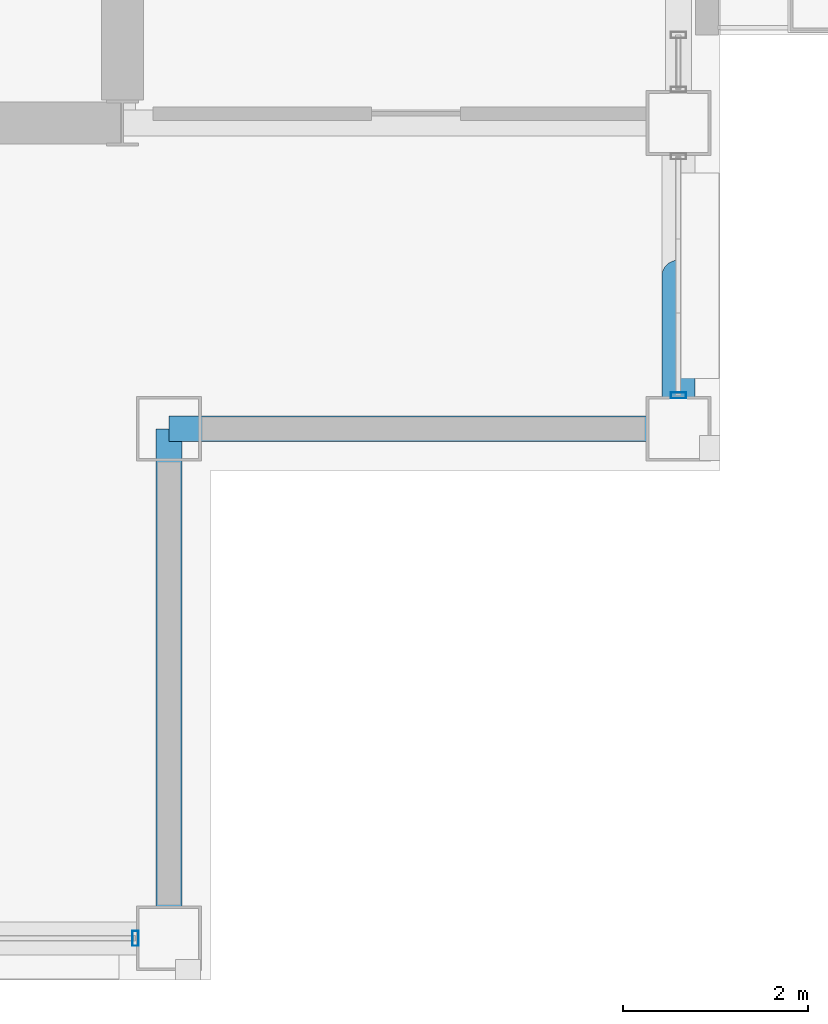
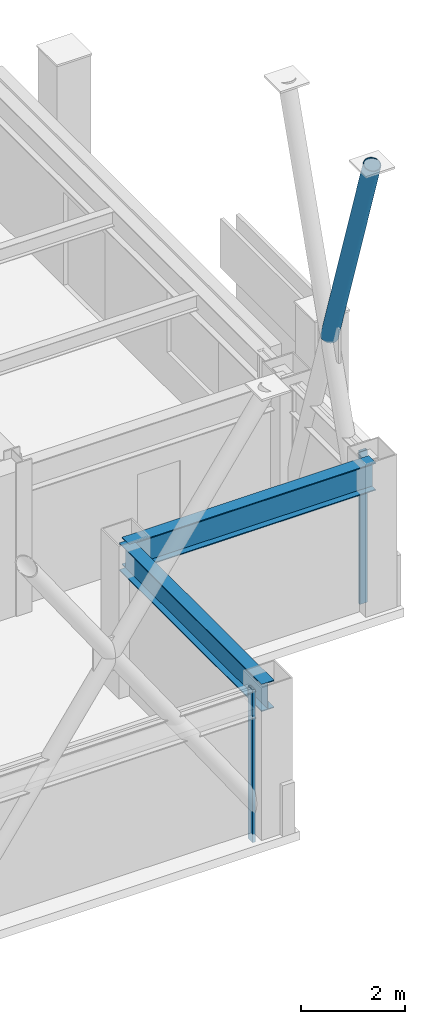
# One storey, part 14 of 33: 3 members, 2 beams, 2 elements without a shape of their own.
"""IFC4 building model written with IfcOpenShell, lengths in metres."""

from ifc_helpers import new_model, si_unit, direction, frame, origin, origin_2d, place, context, subcontext, project, spatial, hollow_rectangle, hollow_circle, i_section, extrude, material, layer, layer_set, material_profile, profile_set, type_object, element, aggregate, save


model = new_model("IFC4")

# Units and contexts
model_context = context("Model", 3, precision=1e-05, world=origin(), true_north=direction((0.0, 1.0)))
body_context = subcontext(model_context, "Body", "Model", "MODEL_VIEW")
ifc_project = project(units=[si_unit("LENGTHUNIT", "METRE"), si_unit("AREAUNIT", "SQUARE_METRE"), si_unit("VOLUMEUNIT", "CUBIC_METRE"), si_unit("PLANEANGLEUNIT", "RADIAN"), si_unit("MASSUNIT", "GRAM", prefix="KILO")], contexts=[model_context])

# Site, building, storey
site_placement = place(None, origin())
site = spatial("IfcSite", under=ifc_project, at=site_placement, CompositionType="ELEMENT")
building_placement = place(site_placement, origin())
building = spatial("IfcBuilding", under=site, at=building_placement, Name="Brelmoor Portico Tower", CompositionType="ELEMENT")
storey_placement = place(building_placement, frame((0.0, 0.0, 194.699951171875)))
storey = spatial("IfcBuildingStorey", under=building, at=storey_placement, Name="L51", CompositionType="ELEMENT", Elevation=194.699951171875)

# Beams
ifc_material_1 = material(Name="Steel Q355B", Category="steel")
ifc_material_profile_1 = material_profile(ifc_material_1, i_section(OverallWidth=0.280029296875, OverallDepth=0.64990234375, WebThickness=0.012939453125, FlangeThickness=0.02197265625, at=origin_2d()), Name="HN 650x280x13x22")
ifc_profile_set_1 = profile_set([ifc_material_profile_1], Name="Steel Q355B")
beam_type = type_object("IfcBeamType", Name="BM-SP-650", PredefinedType="SPANDREL", material=ifc_profile_set_1)
for number, where, z_axis, x_axis, name in (
    (1, (15.050048828125, -13.050048828125, 3.074951171875), (1.0, 0.0, 0.0), (0.0, 1.0, 0.0), "L51 Perimeter Spandrel Beam SP-05"),
    (2, (15.050048828125, -18.550048828125, 3.074951171875), (0.0, 1.0, 0.0), (-1.0, 0.0, 0.0), "L51 Perimeter Spandrel Beam SP-16"),
):
    element("IfcBeam", number, at=place(storey_placement, frame(where, z_axis=z_axis, x_axis=x_axis)), inside=storey, type_object=beam_type, Name=name, PredefinedType="SPANDREL", context=body_context, shape_type="SweptSolid", body=[
        extrude(i_section(OverallWidth=0.280029296875, OverallDepth=0.64990234375, WebThickness=0.012939453125, FlangeThickness=0.02197265625, at=origin_2d()), origin(), (0.0, 0.0, 1.0), 5.5),
    ])

# Member
ifc_material_profile_2 = material_profile(ifc_material_1, hollow_circle(Radius=0.177978515625, WallThickness=0.01611328125, at=origin_2d()), Name="CHS 356x16")
ifc_profile_set_2 = profile_set([ifc_material_profile_2], Name="Steel Q355B")
member_type_1 = type_object("IfcMemberType", Name="MB-BELT-DIAG2", PredefinedType="BRACE", material=ifc_profile_set_2)
member_1_placement = place(storey_placement, frame((20.550048828125, -11.39990234375, 5.300048828125), z_axis=(0.0, -0.310597538786, 0.950541513507), x_axis=(1.0, 0.0, 0.0)))
element("IfcMember", 3, at=member_1_placement, inside=storey, type_object=member_type_1, Name="L51 Split Mega-X Brace 125B2", PredefinedType="BRACE", context=body_context, shape_type="SweptSolid", body=[
    extrude(hollow_circle(Radius=0.177978515625, WallThickness=0.01611328125, at=origin_2d()), origin(), (0.0, 0.0, 1.0), 5.312744140625),
])

# Curtain wall, member
ifc_material_2 = material(Name="Anodised Aluminium Alloy 6063-T6", Category="aluminium")
ifc_layer = layer(ifc_material_2, 0.179931640625)
ifc_layer_set = layer_set([ifc_layer], Name="Anodised Aluminium Alloy 6063-T6")
curtain_wall_type = type_object("IfcCurtainWallType", Name="CW-TOWER-Z3-XB", PredefinedType="NOTDEFINED", material=ifc_layer_set)
curtain_wall_1_placement = place(storey_placement, origin())
curtain_wall_1 = element("IfcCurtainWall", 4, at=curtain_wall_1_placement, inside=storey, type_object=curtain_wall_type, Name="L51 Curtain Wall CW-L51-01-3", PredefinedType="NOTDEFINED")
ifc_material_profile_3 = material_profile(ifc_material_2, hollow_rectangle(XDim=0.06494140625, YDim=0.1650390625, WallThickness=0.00390625, at=origin_2d()), Name="ALU MULLION 65x165")
ifc_profile_set_3 = profile_set([ifc_material_profile_3], Name="Anodised Aluminium Alloy 6063-T6")
member_type_2 = type_object("IfcMemberType", Name="MB-CW-MULL-165", PredefinedType="MULLION", material=ifc_profile_set_3)
member_2_placement = place(storey_placement, frame((14.68994140625, -18.550048828125, -0.199951171875), z_axis=(0.0, 0.0, 1.0), x_axis=(1.0, 0.0, 0.0)))
member_2 = element("IfcMember", 5, at=member_2_placement, type_object=member_type_2, Name="CW-L51-01-3 Mullion 01", PredefinedType="MULLION", context=body_context, shape_type="SweptSolid", body=[
    extrude(hollow_rectangle(XDim=0.06494140625, YDim=0.1650390625, WallThickness=0.00390625, at=origin_2d()), origin(), (0.0, 0.0, 1.0), 3.60009765625),
])
aggregate(curtain_wall_1, [member_2])

curtain_wall_2_placement = place(storey_placement, origin())
curtain_wall_2 = element("IfcCurtainWall", 6, at=curtain_wall_2_placement, inside=storey, type_object=curtain_wall_type, Name="L51 Curtain Wall CW-L51-4L-1", PredefinedType="NOTDEFINED")
member_3_placement = place(storey_placement, frame((20.550048828125, -12.68994140625, -0.199951171875), z_axis=(0.0, 0.0, 1.0), x_axis=(0.0, 1.0, 0.0)))
member_3 = element("IfcMember", 7, at=member_3_placement, type_object=member_type_2, Name="CW-L51-4L-1 Mullion 00", PredefinedType="MULLION", context=body_context, shape_type="SweptSolid", body=[
    extrude(hollow_rectangle(XDim=0.06494140625, YDim=0.1650390625, WallThickness=0.00390625, at=origin_2d()), origin(), (0.0, 0.0, 1.0), 3.60009765625),
])
aggregate(curtain_wall_2, [member_3])

save(model, "model.ifc")
